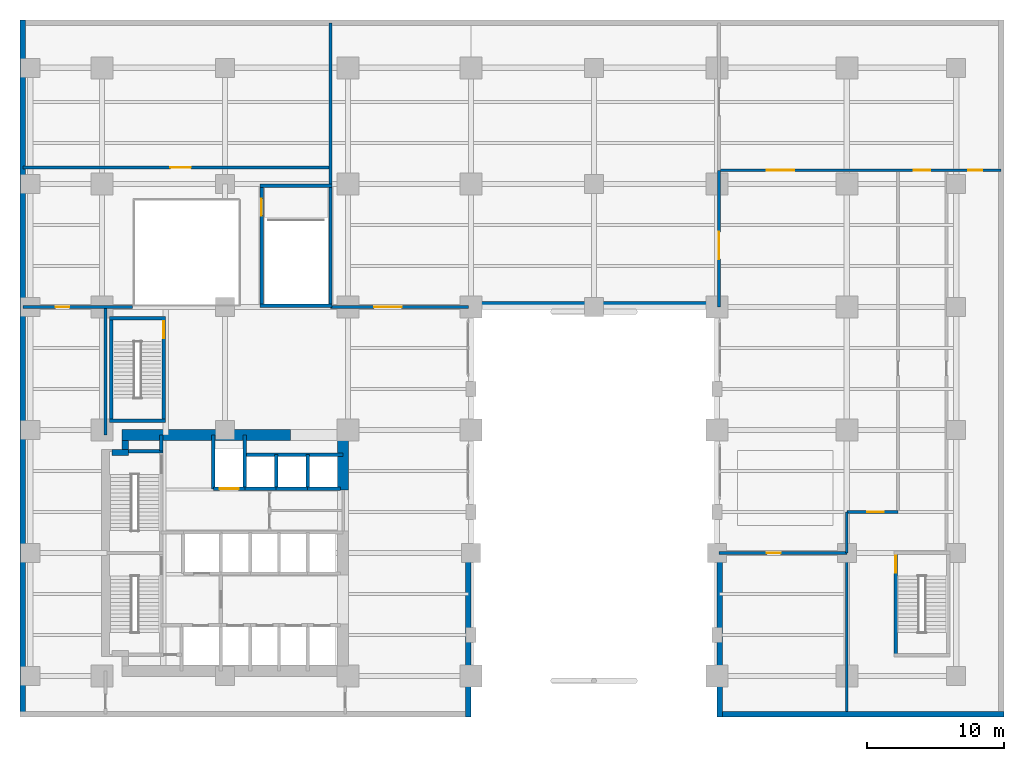
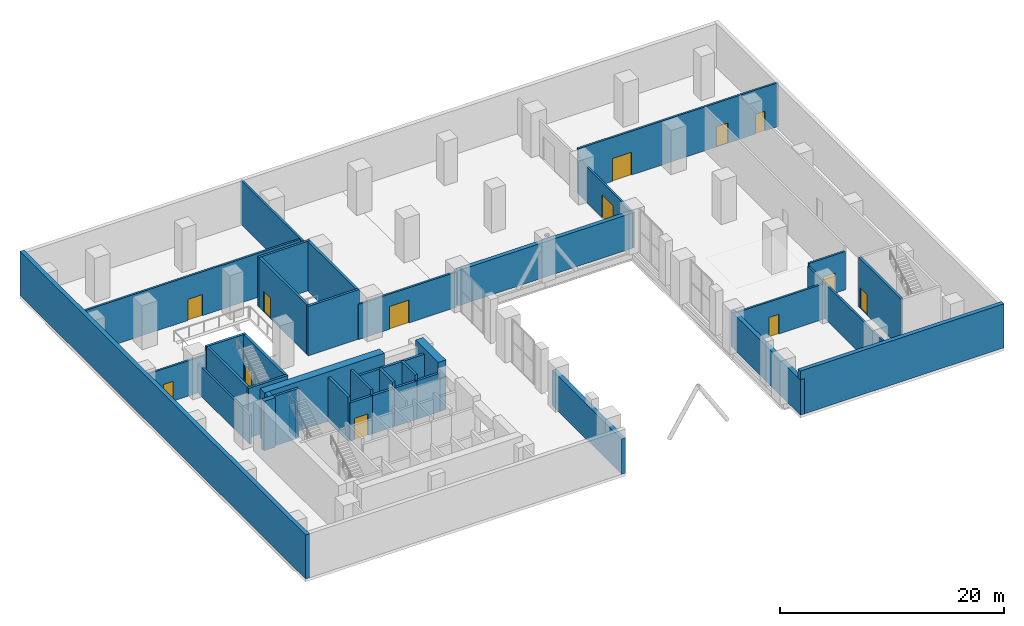
# One storey, part 10 of 13: 40 walls, 13 doors, 13 openings.
"""IFC4 building model written with IfcOpenShell, lengths in metres."""

from ifc_helpers import new_model, si_unit, direction, frame, frame_2d, origin, place, context, subcontext, project, spatial, rectangle, extrude, material, layer, layer_set, type_object, element, fill, save


model = new_model("IFC4")

# Units and contexts
model_context = context("Model", 3, precision=1e-05, world=origin(), true_north=direction((0.0, 1.0)))
body_context = subcontext(model_context, "Body", "Model", "MODEL_VIEW")
ifc_project = project(units=[si_unit("LENGTHUNIT", "METRE"), si_unit("AREAUNIT", "SQUARE_METRE"), si_unit("VOLUMEUNIT", "CUBIC_METRE"), si_unit("PLANEANGLEUNIT", "RADIAN"), si_unit("MASSUNIT", "GRAM", prefix="KILO")], contexts=[model_context])

# Site, building, storey
site_placement = place(None, origin())
site = spatial("IfcSite", under=ifc_project, at=site_placement, CompositionType="ELEMENT")
building_placement = place(site_placement, origin())
building = spatial("IfcBuilding", under=site, at=building_placement, Name="Mawjdan Bourse Tower", CompositionType="ELEMENT")
storey_placement = place(building_placement, frame((0.0, 0.0, 10.800048828125)))
storey = spatial("IfcBuildingStorey", under=building, at=storey_placement, Name="L02", CompositionType="ELEMENT", Elevation=10.800048828125)

# Walls
ifc_material_1 = material(Name="Brick Masonry Buff", Category="masonry")
ifc_layer_1 = layer(ifc_material_1, 0.419921875)
ifc_layer_set_1 = layer_set([ifc_layer_1], Name="Brick Masonry Buff")
wall_type_1 = type_object("IfcWallType", Name="WL-BRK-BUFF-420", PredefinedType="STANDARD", material=ifc_layer_set_1)
wall_1_placement = place(storey_placement, frame((32.7900390625, 12.39990234375, 0.0), z_axis=(0.0, 0.0, 1.0), x_axis=(0.0, -1.0, 0.0)))
element("IfcWall", 1, at=wall_1_placement, inside=storey, type_object=wall_type_1, Name="L02 Podium Brick Wall ARCH-WP", PredefinedType="STANDARD", context=body_context, shape_type="SweptSolid", body=[
    extrude(rectangle(XDim=12.39990234375, YDim=0.419921875, at=frame_2d((6.199951171875, 0.0))), origin(), (0.0, 0.0, 1.0), 3.849853515625),
])
wall_2_placement = place(storey_placement, frame((33.0, 30.2099609375, 0.0), z_axis=(0.0, 0.0, 1.0), x_axis=(1.0, 0.0, 0.0)))
element("IfcWall", 2, at=wall_2_placement, inside=storey, type_object=wall_type_1, Name="L02 Podium Brick Wall ARCH-NB", PredefinedType="STANDARD", context=body_context, shape_type="SweptSolid", body=[
    extrude(rectangle(XDim=18.0, YDim=0.419921875, at=frame_2d((9.0, 0.0))), origin(), (0.0, 0.0, 1.0), 3.849853515625),
])
wall_3_placement = place(storey_placement, frame((51.2099609375, 0.0, 0.0), z_axis=(0.0, 0.0, 1.0), x_axis=(0.0, 1.0, 0.0)))
element("IfcWall", 3, at=wall_3_placement, inside=storey, type_object=wall_type_1, Name="L02 Podium Brick Wall ARCH-EP", PredefinedType="STANDARD", context=body_context, shape_type="SweptSolid", body=[
    extrude(rectangle(XDim=12.39990234375, YDim=0.419921875, at=frame_2d((6.199951171875, 0.0))), origin(), (0.0, 0.0, 1.0), 3.849853515625),
])
wall_4_placement = place(storey_placement, frame((51.0, 0.2099609375, 0.0), z_axis=(0.0, 0.0, 1.0), x_axis=(1.0, 0.0, 0.0)))
element("IfcWall", 4, at=wall_4_placement, inside=storey, type_object=wall_type_1, Name="L02 Podium Brick Wall SE-ALL", PredefinedType="STANDARD", context=body_context, shape_type="SweptSolid", body=[
    extrude(rectangle(XDim=21.0, YDim=0.419921875, at=frame_2d((10.5, 0.0))), origin(), (0.0, 0.0, 1.0), 4.800048828125),
])
wall_5_placement = place(storey_placement, frame((0.2099609375, 51.0, 0.0), z_axis=(0.0, 0.0, 1.0), x_axis=(0.0, -1.0, 0.0)))
element("IfcWall", 5, at=wall_5_placement, inside=storey, type_object=wall_type_1, Name="L02 Podium Brick Wall WEST", PredefinedType="STANDARD", context=body_context, shape_type="SweptSolid", body=[
    extrude(rectangle(XDim=51.0, YDim=0.419921875, at=frame_2d((25.5, 0.0))), origin(), (0.0, 0.0, 1.0), 4.800048828125),
])

# Wall, opening, door
ifc_material_2 = material(Name="Gypsum Fireboard Assembly")
ifc_layer_2 = layer(ifc_material_2, 0.199951171875)
ifc_layer_set_2 = layer_set([ifc_layer_2], Name="Gypsum Fireboard Assembly")
wall_type_2 = type_object("IfcWallType", Name="WL-CMP-200", PredefinedType="PARTITIONING", material=ifc_layer_set_2)
wall_6_placement = place(storey_placement, frame((22.719970703125, 30.0, 0.0), z_axis=(0.0, 0.0, 1.0), x_axis=(1.0, 0.0, 0.0)))
wall_6 = element("IfcWall", 6, at=wall_6_placement, inside=storey, type_object=wall_type_2, Name="L02 Clearing Hall South Wall", PredefinedType="PARTITIONING", context=body_context, shape_type="SweptSolid", body=[
    extrude(rectangle(XDim=10.080078125, YDim=0.199951171875, at=frame_2d((5.0400390625, 0.0))), origin(), (0.0, 0.0, 1.0), 3.849853515625),
])
opening_1_placement = place(wall_6_placement, frame((3.199951171875, 0.0, 0.0)))
opening_1 = element("IfcOpeningElement", 7, at=opening_1_placement, cuts=wall_6, Name="Opening D-L02-19", PredefinedType="OPENING", context=body_context, shape_type="SweptSolid", body=[
    extrude(rectangle(XDim=2.0, YDim=2.5, at=frame_2d((1.0, 1.25))), frame((0.0, 0.10986328125, 0.0), z_axis=(0.0, -1.0, 0.0), x_axis=(1.0, 0.0, 0.0)), (0.0, 0.0, 1.0), 0.219970703125),
])
ifc_material_3 = material(Name="Acoustic Veneered Timber", Category="wood")
door_type_1 = type_object("IfcDoorType", Name="DR-ASM-2000", OperationType="DOUBLE_DOOR_SINGLE_SWING", PredefinedType="DOOR", material=ifc_material_3)
door_1_placement = place(opening_1_placement, origin())
door_1 = element("IfcDoor", 8, at=door_1_placement, inside=storey, type_object=door_type_1, Name="L02 Clearing Hall South Entrance D-L02-19", OperationType="DOUBLE_DOOR_SINGLE_SWING", OverallHeight=2.5, OverallWidth=2.0, PredefinedType="DOOR", context=body_context, shape_type="SweptSolid", body=[
    extrude(rectangle(XDim=2.0, YDim=2.5, at=frame_2d((1.0, 1.25))), frame((0.0, 0.02490234375, 0.0), z_axis=(0.0, -1.0, 0.0), x_axis=(1.0, 0.0, 0.0)), (0.0, 0.0, 1.0), 0.050048828125),
])
fill(opening_1, door_1)

wall_7_placement = place(storey_placement, frame((0.2099609375, 40.199951171875, 0.0), z_axis=(0.0, 0.0, 1.0), x_axis=(1.0, 0.0, 0.0)))
wall_7 = element("IfcWall", 9, at=wall_7_placement, inside=storey, type_object=wall_type_2, Name="L02 Issuer Relations South Wall", PredefinedType="PARTITIONING", context=body_context, shape_type="SweptSolid", body=[
    extrude(rectangle(XDim=22.510009765625, YDim=0.199951171875, at=frame_2d((11.2548828125, 0.0))), origin(), (0.0, 0.0, 1.0), 4.7900390625),
])
opening_2_placement = place(wall_7_placement, frame((10.800048828125, 0.0, 0.0)))
opening_2 = element("IfcOpeningElement", 10, at=opening_2_placement, cuts=wall_7, Name="Opening D-L02-20", PredefinedType="OPENING", context=body_context, shape_type="SweptSolid", body=[
    extrude(rectangle(XDim=1.5, YDim=2.300048828125, at=frame_2d((0.75, 1.14990234375))), frame((0.0, 0.10986328125, 0.0), z_axis=(0.0, -1.0, 0.0), x_axis=(1.0, 0.0, 0.0)), (0.0, 0.0, 1.0), 0.219970703125),
])
ifc_material_4 = material(Name="Acoustic Glazed Timber", Category="wood")
door_type_2 = type_object("IfcDoorType", Name="DR-CNF-1500", OperationType="DOUBLE_DOOR_SINGLE_SWING", PredefinedType="DOOR", material=ifc_material_4)
door_2_placement = place(opening_2_placement, origin())
door_2 = element("IfcDoor", 11, at=door_2_placement, inside=storey, type_object=door_type_2, Name="L02 Issuer Relations Door D-L02-20", OperationType="DOUBLE_DOOR_SINGLE_SWING", OverallHeight=2.300048828125, OverallWidth=1.5, PredefinedType="DOOR", context=body_context, shape_type="SweptSolid", body=[
    extrude(rectangle(XDim=1.5, YDim=2.300048828125, at=frame_2d((0.75, 1.14990234375))), frame((0.0, 0.02490234375, 0.0), z_axis=(0.0, -1.0, 0.0), x_axis=(1.0, 0.0, 0.0)), (0.0, 0.0, 1.0), 0.050048828125),
])
fill(opening_2, door_2)

# Walls
wall_8_placement = place(storey_placement, frame((22.719970703125, 38.8701171875, 0.0), z_axis=(0.0, 0.0, 1.0), x_axis=(0.0, 1.0, 0.0)))
element("IfcWall", 12, at=wall_8_placement, inside=storey, type_object=wall_type_2, Name="L02 Issuer Relations East Wall", PredefinedType="PARTITIONING", context=body_context, shape_type="SweptSolid", body=[
    extrude(rectangle(XDim=11.919921875, YDim=0.199951171875, at=frame_2d((5.9599609375, 0.0))), origin(), (0.0, 0.0, 1.0), 4.7900390625),
])
wall_9_placement = place(storey_placement, frame((6.25, 20.64990234375, 0.0), z_axis=(0.0, 0.0, 1.0), x_axis=(0.0, 1.0, 0.0)))
element("IfcWall", 13, at=wall_9_placement, inside=storey, type_object=wall_type_2, Name="L02 Regulatory Supervision North-East Wall", PredefinedType="PARTITIONING", context=body_context, shape_type="SweptSolid", body=[
    extrude(rectangle(XDim=9.35009765625, YDim=0.199951171875, at=frame_2d((4.675048828125, 0.0))), origin(), (0.0, 0.0, 1.0), 3.18994140625),
])

# Wall, opening, door
wall_10_placement = place(storey_placement, frame((0.2099609375, 30.0, 0.0), z_axis=(0.0, 0.0, 1.0), x_axis=(1.0, 0.0, 0.0)))
wall_10 = element("IfcWall", 14, at=wall_10_placement, inside=storey, type_object=wall_type_2, Name="L02 Overlook Gallery South Wall", PredefinedType="PARTITIONING", context=body_context, shape_type="SweptSolid", body=[
    extrude(rectangle(XDim=8.0400390625, YDim=0.199951171875, at=frame_2d((4.02001953125, 0.0))), origin(), (0.0, 0.0, 1.0), 3.849853515625),
])
opening_3_placement = place(wall_10_placement, frame((2.39990234375, 0.0, 0.0)))
opening_3 = element("IfcOpeningElement", 15, at=opening_3_placement, cuts=wall_10, Name="Opening D-L02-22", PredefinedType="OPENING", context=body_context, shape_type="SweptSolid", body=[
    extrude(rectangle(XDim=1.0, YDim=2.14990234375, at=frame_2d((0.5, 1.074951171875))), frame((0.0, 0.10986328125, 0.0), z_axis=(0.0, -1.0, 0.0), x_axis=(1.0, 0.0, 0.0)), (0.0, 0.0, 1.0), 0.219970703125),
])
ifc_material_5 = material(Name="Hardwood Acoustic Leaf", Category="wood")
door_type_3 = type_object("IfcDoorType", Name="DR-OFC-1000", OperationType="NOTDEFINED", PredefinedType="DOOR", material=ifc_material_5)
door_3_placement = place(opening_3_placement, origin())
door_3 = element("IfcDoor", 16, at=door_3_placement, inside=storey, type_object=door_type_3, Name="L02 Regulatory Supervision Overlook Gallery Door D-L02-22", OperationType="SINGLE_SWING_LEFT", OverallHeight=2.14990234375, OverallWidth=1.0, PredefinedType="DOOR", context=body_context, shape_type="SweptSolid", body=[
    extrude(rectangle(XDim=1.0, YDim=2.14990234375, at=frame_2d((0.5, 1.074951171875))), frame((0.0, 0.02490234375, 0.0), z_axis=(0.0, -1.0, 0.0), x_axis=(1.0, 0.0, 0.0)), (0.0, 0.0, 1.0), 0.050048828125),
])
fill(opening_3, door_3)

wall_11_placement = place(storey_placement, frame((51.14990234375, 30.0, 0.0), z_axis=(0.0, 0.0, 1.0), x_axis=(0.0, 1.0, 0.0)))
wall_11 = element("IfcWall", 17, at=wall_11_placement, inside=storey, type_object=wall_type_2, Name="L02 Clearing & Seminar Hall Dividing Wall", PredefinedType="PARTITIONING", context=body_context, shape_type="SweptSolid", body=[
    extrude(rectangle(XDim=10.0, YDim=0.199951171875, at=frame_2d((5.0, 0.0))), origin(), (0.0, 0.0, 1.0), 3.849853515625),
])
opening_4_placement = place(wall_11_placement, frame((3.5, 0.0, 0.0)))
opening_4 = element("IfcOpeningElement", 18, at=opening_4_placement, cuts=wall_11, Name="Opening D-L02-24", PredefinedType="OPENING", context=body_context, shape_type="SweptSolid", body=[
    extrude(rectangle(XDim=2.0, YDim=2.5, at=frame_2d((1.0, 1.25))), frame((0.0, 0.10986328125, 0.0), z_axis=(0.0, -1.0, 0.0), x_axis=(1.0, 0.0, 0.0)), (0.0, 0.0, 1.0), 0.219970703125),
])
door_4_placement = place(opening_4_placement, origin())
door_4 = element("IfcDoor", 19, at=door_4_placement, inside=storey, type_object=door_type_1, Name="L02 Clearing to Seminar Hall Double Door D-L02-24", OperationType="DOUBLE_DOOR_SINGLE_SWING", OverallHeight=2.5, OverallWidth=2.0, PredefinedType="DOOR", context=body_context, shape_type="SweptSolid", body=[
    extrude(rectangle(XDim=2.0, YDim=2.5, at=frame_2d((1.0, 1.25))), frame((0.0, 0.02490234375, 0.0), z_axis=(0.0, -1.0, 0.0), x_axis=(1.0, 0.0, 0.0)), (0.0, 0.0, 1.0), 0.050048828125),
])
fill(opening_4, door_4)

# Wall, openings, doors
wall_12_placement = place(storey_placement, frame((51.14990234375, 40.0, 0.0), z_axis=(0.0, 0.0, 1.0), x_axis=(1.0, 0.0, 0.0)))
wall_12 = element("IfcWall", 20, at=wall_12_placement, inside=storey, type_object=wall_type_2, Name="L02 Seminar Hall North Wall", PredefinedType="PARTITIONING", context=body_context, shape_type="SweptSolid", body=[
    extrude(rectangle(XDim=20.64013671875, YDim=0.199951171875, at=frame_2d((10.320068359375, 0.0))), origin(), (0.0, 0.0, 1.0), 4.7900390625),
])
opening_5_placement = place(wall_12_placement, frame((3.5, 0.0, 0.0)))
opening_5 = element("IfcOpeningElement", 21, at=opening_5_placement, cuts=wall_12, Name="Opening D-L02-26", PredefinedType="OPENING", context=body_context, shape_type="SweptSolid", body=[
    extrude(rectangle(XDim=2.0, YDim=2.5, at=frame_2d((1.0, 1.25))), frame((0.0, 0.10986328125, 0.0), z_axis=(0.0, -1.0, 0.0), x_axis=(1.0, 0.0, 0.0)), (0.0, 0.0, 1.0), 0.219970703125),
])
opening_6_placement = place(wall_12_placement, frame((14.25, 0.0, 0.0)))
opening_6 = element("IfcOpeningElement", 22, at=opening_6_placement, cuts=wall_12, Name="Opening FD-L02-27", PredefinedType="OPENING", context=body_context, shape_type="SweptSolid", body=[
    extrude(rectangle(XDim=1.199951171875, YDim=2.199951171875, at=frame_2d((0.60009765625, 1.10009765625))), frame((0.0, 0.10986328125, 0.0), z_axis=(0.0, -1.0, 0.0), x_axis=(1.0, 0.0, 0.0)), (0.0, 0.0, 1.0), 0.219970703125),
])
opening_7_placement = place(wall_12_placement, frame((18.25, 0.0, 0.0)))
opening_7 = element("IfcOpeningElement", 23, at=opening_7_placement, cuts=wall_12, Name="Opening D-L02-28", PredefinedType="OPENING", context=body_context, shape_type="SweptSolid", body=[
    extrude(rectangle(XDim=1.0, YDim=2.14990234375, at=frame_2d((0.5, 1.074951171875))), frame((0.0, 0.10986328125, 0.0), z_axis=(0.0, -1.0, 0.0), x_axis=(1.0, 0.0, 0.0)), (0.0, 0.0, 1.0), 0.219970703125),
])
door_5_placement = place(opening_5_placement, origin())
door_5 = element("IfcDoor", 24, at=door_5_placement, inside=storey, type_object=door_type_1, Name="L02 Seminar Hall Door D-L02-26", OperationType="DOUBLE_DOOR_SINGLE_SWING", OverallHeight=2.5, OverallWidth=2.0, PredefinedType="DOOR", context=body_context, shape_type="SweptSolid", body=[
    extrude(rectangle(XDim=2.0, YDim=2.5, at=frame_2d((1.0, 1.25))), frame((0.0, 0.02490234375, 0.0), z_axis=(0.0, -1.0, 0.0), x_axis=(1.0, 0.0, 0.0)), (0.0, 0.0, 1.0), 0.050048828125),
])
fill(opening_5, door_5)
door_6_placement = place(opening_7_placement, origin())
door_6 = element("IfcDoor", 25, at=door_6_placement, inside=storey, type_object=door_type_3, Name="L02 Strategy Suite North Door D-L02-28", OperationType="SINGLE_SWING_RIGHT", OverallHeight=2.14990234375, OverallWidth=1.0, PredefinedType="DOOR", context=body_context, shape_type="SweptSolid", body=[
    extrude(rectangle(XDim=1.0, YDim=2.14990234375, at=frame_2d((0.5, 1.074951171875))), frame((0.0, 0.02490234375, 0.0), z_axis=(0.0, -1.0, 0.0), x_axis=(1.0, 0.0, 0.0)), (0.0, 0.0, 1.0), 0.050048828125),
])
fill(opening_7, door_6)
ifc_material_6 = material(Name="Fire-Rated Steel Leaf", Category="steel")
door_type_4 = type_object("IfcDoorType", Name="FD-FFL-1200", OperationType="NOTDEFINED", PredefinedType="DOOR", material=ifc_material_6)
door_7_placement = place(opening_6_placement, frame((1.199951171875, 0.0, 0.0), z_axis=(0.0, 0.0, 1.0), x_axis=(-1.0, 0.0, 0.0)))
door_7 = element("IfcDoor", 26, at=door_7_placement, inside=storey, type_object=door_type_4, Name="L02 East Podium Gallery ST6 Corridor Fire Door FD-L02-27", OperationType="SINGLE_SWING_LEFT", OverallHeight=2.199951171875, OverallWidth=1.199951171875, PredefinedType="DOOR", context=body_context, shape_type="SweptSolid", body=[
    extrude(rectangle(XDim=1.199951171875, YDim=2.199951171875, at=frame_2d((0.60009765625, 1.10009765625))), frame((0.0, 0.02490234375, 0.0), z_axis=(0.0, -1.0, 0.0), x_axis=(1.0, 0.0, 0.0)), (0.0, 0.0, 1.0), 0.050048828125),
])
fill(opening_6, door_7)

# Wall
wall_13_placement = place(storey_placement, frame((60.5, 12.0, 0.0), z_axis=(0.0, 0.0, 1.0), x_axis=(0.0, 1.0, 0.0)))
element("IfcWall", 27, at=wall_13_placement, inside=storey, type_object=wall_type_2, Name="L02 ST6 Vestibule West Return", PredefinedType="PARTITIONING", context=body_context, shape_type="SweptSolid", body=[
    extrude(rectangle(XDim=3.0, YDim=0.199951171875, at=frame_2d((1.5, 0.0))), origin(), (0.0, 0.0, 1.0), 3.849853515625),
])

# Wall, opening, door
wall_14_placement = place(storey_placement, frame((60.5, 15.0, 0.0), z_axis=(0.0, 0.0, 1.0), x_axis=(1.0, 0.0, 0.0)))
wall_14 = element("IfcWall", 28, at=wall_14_placement, inside=storey, type_object=wall_type_2, Name="L02 ST6 Corridor South Vestibule Wall", PredefinedType="PARTITIONING", context=body_context, shape_type="SweptSolid", body=[
    extrude(rectangle(XDim=3.75, YDim=0.199951171875, at=frame_2d((1.875, 0.0))), origin(), (0.0, 0.0, 1.0), 4.1728515625),
])
opening_8_placement = place(wall_14_placement, frame((1.5, 0.0, 0.0)))
opening_8 = element("IfcOpeningElement", 29, at=opening_8_placement, cuts=wall_14, Name="Opening FD-L02-29", PredefinedType="OPENING", context=body_context, shape_type="SweptSolid", body=[
    extrude(rectangle(XDim=1.199951171875, YDim=2.199951171875, at=frame_2d((0.60009765625, 1.10009765625))), frame((0.0, 0.10986328125, 0.0), z_axis=(0.0, -1.0, 0.0), x_axis=(1.0, 0.0, 0.0)), (0.0, 0.0, 1.0), 0.219970703125),
])
door_8_placement = place(opening_8_placement, frame((1.199951171875, 0.0, 0.0), z_axis=(0.0, 0.0, 1.0), x_axis=(-1.0, 0.0, 0.0)))
door_8 = element("IfcDoor", 30, at=door_8_placement, inside=storey, type_object=door_type_4, Name="L02 ST6 Seminar Exit Door FD-L02-29", OperationType="SINGLE_SWING_LEFT", OverallHeight=2.199951171875, OverallWidth=1.199951171875, PredefinedType="DOOR", context=body_context, shape_type="SweptSolid", body=[
    extrude(rectangle(XDim=1.199951171875, YDim=2.199951171875, at=frame_2d((0.60009765625, 1.10009765625))), frame((0.0, 0.02490234375, 0.0), z_axis=(0.0, -1.0, 0.0), x_axis=(1.0, 0.0, 0.0)), (0.0, 0.0, 1.0), 0.050048828125),
])
fill(opening_8, door_8)

wall_15_placement = place(storey_placement, frame((51.14990234375, 12.0, 0.0), z_axis=(0.0, 0.0, 1.0), x_axis=(1.0, 0.0, 0.0)))
wall_15 = element("IfcWall", 31, at=wall_15_placement, inside=storey, type_object=wall_type_2, Name="L02 Translation North Wall", PredefinedType="PARTITIONING", context=body_context, shape_type="SweptSolid", body=[
    extrude(rectangle(XDim=9.35009765625, YDim=0.199951171875, at=frame_2d((4.675048828125, 0.0))), origin(), (0.0, 0.0, 1.0), 3.849853515625),
])
opening_9_placement = place(wall_15_placement, frame((3.5, 0.0, 0.0)))
opening_9 = element("IfcOpeningElement", 32, at=opening_9_placement, cuts=wall_15, Name="Opening D-L02-32", PredefinedType="OPENING", context=body_context, shape_type="SweptSolid", body=[
    extrude(rectangle(XDim=1.0, YDim=2.14990234375, at=frame_2d((0.5, 1.074951171875))), frame((0.0, 0.10986328125, 0.0), z_axis=(0.0, -1.0, 0.0), x_axis=(1.0, 0.0, 0.0)), (0.0, 0.0, 1.0), 0.219970703125),
])
door_9_placement = place(opening_9_placement, origin())
door_9 = element("IfcDoor", 33, at=door_9_placement, inside=storey, type_object=door_type_3, Name="L02 Translation Office Door D-L02-32", OperationType="SINGLE_SWING_RIGHT", OverallHeight=2.14990234375, OverallWidth=1.0, PredefinedType="DOOR", context=body_context, shape_type="SweptSolid", body=[
    extrude(rectangle(XDim=1.0, YDim=2.14990234375, at=frame_2d((0.5, 1.074951171875))), frame((0.0, 0.02490234375, 0.0), z_axis=(0.0, -1.0, 0.0), x_axis=(1.0, 0.0, 0.0)), (0.0, 0.0, 1.0), 0.050048828125),
])
fill(opening_9, door_9)

# Walls
wall_16_placement = place(storey_placement, frame((60.5, 0.419921875, 0.0), z_axis=(0.0, 0.0, 1.0), x_axis=(0.0, 1.0, 0.0)))
element("IfcWall", 34, at=wall_16_placement, inside=storey, type_object=wall_type_2, Name="L02 Translation East Wall", PredefinedType="PARTITIONING", context=body_context, shape_type="SweptSolid", body=[
    extrude(rectangle(XDim=11.580078125, YDim=0.199951171875, at=frame_2d((5.7900390625, 0.0))), origin(), (0.0, 0.0, 1.0), 3.849853515625),
])
ifc_material_7 = material(Name="Concrete C60/75", Category="concrete")
ifc_layer_3 = layer(ifc_material_7, 0.449951171875)
ifc_layer_set_3 = layer_set([ifc_layer_3], Name="Concrete C60/75")
wall_type_3 = type_object("IfcWallType", Name="WL-CORE-450", PredefinedType="SHEAR", material=ifc_layer_set_3)
wall_17_placement = place(storey_placement, frame((6.75, 19.35009765625, 0.0), z_axis=(0.0, 0.0, 1.0), x_axis=(1.0, 0.0, 0.0)))
element("IfcWall", 35, at=wall_17_placement, inside=storey, type_object=wall_type_3, Name="L02 Rear Core Shear Wall NW-X", PredefinedType="SHEAR", context=body_context, shape_type="SweptSolid", body=[
    extrude(rectangle(XDim=1.175048828125, YDim=0.449951171875, at=frame_2d((0.58740234375, 0.0))), origin(), (0.0, 0.0, 1.0), 5.39990234375),
])
wall_18_placement = place(storey_placement, frame((7.699951171875, 19.574951171875, 0.0), z_axis=(0.0, 0.0, 1.0), x_axis=(0.0, 1.0, 0.0)))
element("IfcWall", 36, at=wall_18_placement, inside=storey, type_object=wall_type_3, Name="L02 Rear Core Shear Wall NW-Y", PredefinedType="SHEAR", context=body_context, shape_type="SweptSolid", body=[
    extrude(rectangle(XDim=0.675048828125, YDim=0.449951171875, at=frame_2d((0.33740234375, 0.0))), origin(), (0.0, 0.0, 1.0), 5.39990234375),
])
ifc_material_8 = material(Name="Concrete C80/95", Category="concrete")
ifc_layer_4 = layer(ifc_material_8, 0.800048828125)
ifc_layer_set_4 = layer_set([ifc_layer_4], Name="Concrete C80/95")
wall_type_4 = type_object("IfcWallType", Name="WL-CORE-800", PredefinedType="SHEAR", material=ifc_layer_set_4)
wall_19_placement = place(storey_placement, frame((7.47509765625, 20.64990234375, 0.0), z_axis=(0.0, 0.0, 1.0), x_axis=(1.0, 0.0, 0.0)))
element("IfcWall", 37, at=wall_19_placement, inside=storey, type_object=wall_type_4, Name="L02 Rear Core Shear Wall N", PredefinedType="SHEAR", context=body_context, shape_type="SweptSolid", body=[
    extrude(rectangle(XDim=12.324951171875, YDim=0.800048828125, at=frame_2d((6.16259765625, 0.0))), origin(), (0.0, 0.0, 1.0), 5.39990234375),
])
wall_20_placement = place(storey_placement, frame((23.64990234375, 16.60009765625, 0.0), z_axis=(0.0, 0.0, 1.0), x_axis=(0.0, 1.0, 0.0)))
element("IfcWall", 38, at=wall_20_placement, inside=storey, type_object=wall_type_4, Name="L02 Rear Core Shear Wall E3", PredefinedType="SHEAR", context=body_context, shape_type="SweptSolid", body=[
    extrude(rectangle(XDim=4.0498046875, YDim=0.800048828125, at=frame_2d((2.02490234375, 0.0))), origin(), (0.0, 0.0, 1.0), 5.39990234375),
])
ifc_material_9 = material(Name="Concrete C50/60", Category="concrete")
ifc_layer_5 = layer(ifc_material_9, 0.25)
ifc_layer_set_5 = layer_set([ifc_layer_5], Name="Concrete C50/60")
wall_type_5 = type_object("IfcWallType", Name="WL-SHFT-250", PredefinedType="PARTITIONING", material=ifc_layer_set_5)
wall_21_placement = place(storey_placement, frame((10.330078125, 19.449951171875, 0.0), z_axis=(0.0, 0.0, 1.0), x_axis=(0.0, 1.0, 0.0)))
element("IfcWall", 39, at=wall_21_placement, inside=storey, type_object=wall_type_5, Name="L02 NW Riser East Wall", PredefinedType="PARTITIONING", context=body_context, shape_type="SweptSolid", body=[
    extrude(rectangle(XDim=1.199951171875, YDim=0.25, at=frame_2d((0.60009765625, 0.0))), origin(), (0.0, 0.0, 1.0), 3.849853515625),
])

# Wall, opening, door
wall_22_placement = place(storey_placement, frame((14.14990234375, 16.699951171875, 0.0), z_axis=(0.0, 0.0, 1.0), x_axis=(1.0, 0.0, 0.0)))
wall_22 = element("IfcWall", 40, at=wall_22_placement, inside=storey, type_object=wall_type_5, Name="L02 SVL-01 Front Shaft Wall", PredefinedType="PARTITIONING", context=body_context, shape_type="SweptSolid", body=[
    extrude(rectangle(XDim=2.300048828125, YDim=0.25, at=frame_2d((1.14990234375, 0.0))), origin(), (0.0, 0.0, 1.0), 4.1728515625),
])
opening_10_placement = place(wall_22_placement, frame((0.449951171875, 0.0, 0.0)))
opening_10 = element("IfcOpeningElement", 41, at=opening_10_placement, cuts=wall_22, Name="Opening LD-L02-09", PredefinedType="OPENING", context=body_context, shape_type="SweptSolid", body=[
    extrude(rectangle(XDim=1.39990234375, YDim=2.35009765625, at=frame_2d((0.699951171875, 1.175048828125))), frame((0.0, 0.135009765625, 0.0), z_axis=(0.0, -1.0, 0.0), x_axis=(1.0, 0.0, 0.0)), (0.0, 0.0, 1.0), 0.27001953125),
])
ifc_material_10 = material(Name="Heavy-Duty Stainless Steel", Category="steel")
door_type_5 = type_object("IfcDoorType", Name="LD-SRV-1400", OperationType="DOUBLE_DOOR_SLIDING", PredefinedType="DOOR", material=ifc_material_10)
door_10_placement = place(opening_10_placement, origin())
door_10 = element("IfcDoor", 42, at=door_10_placement, inside=storey, type_object=door_type_5, Name="L02 Service Lift SVL-01 Landing Door LD-L02-09", OperationType="DOUBLE_DOOR_SLIDING", OverallHeight=2.35009765625, OverallWidth=1.39990234375, PredefinedType="DOOR", context=body_context, shape_type="SweptSolid", body=[
    extrude(rectangle(XDim=1.39990234375, YDim=2.35009765625, at=frame_2d((0.699951171875, 1.175048828125))), frame((0.0, 0.02490234375, 0.0), z_axis=(0.0, -1.0, 0.0), x_axis=(1.0, 0.0, 0.0)), (0.0, 0.0, 1.0), 0.050048828125),
])
fill(opening_10, door_10)

# Walls
for number, where, z_axis, x_axis, name in (
    (43, (14.14990234375, 16.699951171875, 0.0), (0.0, 0.0, 1.0), (0.0, 1.0, 0.0), "L02 SVL-01 West Shaft Wall"),
    (44, (16.449951171875, 16.699951171875, 0.0), (0.0, 0.0, 1.0), (0.0, 1.0, 0.0), "L02 SVL-01 East Shaft Wall"),
):
    element("IfcWall", number, at=place(storey_placement, frame(where, z_axis=z_axis, x_axis=x_axis)), inside=storey, type_object=wall_type_5, Name=name, PredefinedType="PARTITIONING", context=body_context, shape_type="SweptSolid", body=[
        extrude(rectangle(XDim=3.949951171875, YDim=0.25, at=frame_2d((1.97509765625, 0.0))), origin(), (0.0, 0.0, 1.0), 4.7900390625),
    ])
wall_23_placement = place(storey_placement, frame((16.449951171875, 16.699951171875, 0.0), z_axis=(0.0, 0.0, 1.0), x_axis=(1.0, 0.0, 0.0)))
element("IfcWall", 45, at=wall_23_placement, inside=storey, type_object=wall_type_5, Name="L02 PH-01 Front Wall", PredefinedType="PARTITIONING", context=body_context, shape_type="SweptSolid", body=[
    extrude(rectangle(XDim=2.300048828125, YDim=0.25, at=frame_2d((1.14990234375, 0.0))), origin(), (0.0, 0.0, 1.0), 4.1728515625),
])
wall_24_placement = place(storey_placement, frame((18.75, 16.699951171875, 0.0), z_axis=(0.0, 0.0, 1.0), x_axis=(0.0, 1.0, 0.0)))
element("IfcWall", 46, at=wall_24_placement, inside=storey, type_object=wall_type_5, Name="L02 PH-01 Divider Wall", PredefinedType="PARTITIONING", context=body_context, shape_type="SweptSolid", body=[
    extrude(rectangle(XDim=2.5, YDim=0.25, at=frame_2d((1.25, 0.0))), origin(), (0.0, 0.0, 1.0), 4.7900390625),
])
wall_25_placement = place(storey_placement, frame((18.75, 16.699951171875, 0.0), z_axis=(0.0, 0.0, 1.0), x_axis=(1.0, 0.0, 0.0)))
element("IfcWall", 47, at=wall_25_placement, inside=storey, type_object=wall_type_5, Name="L02 PH-02 Front Wall", PredefinedType="PARTITIONING", context=body_context, shape_type="SweptSolid", body=[
    extrude(rectangle(XDim=2.300048828125, YDim=0.25, at=frame_2d((1.14990234375, 0.0))), origin(), (0.0, 0.0, 1.0), 4.1728515625),
])
wall_26_placement = place(storey_placement, frame((21.050048828125, 16.699951171875, 0.0), z_axis=(0.0, 0.0, 1.0), x_axis=(0.0, 1.0, 0.0)))
element("IfcWall", 48, at=wall_26_placement, inside=storey, type_object=wall_type_5, Name="L02 PH-02 Divider Wall", PredefinedType="PARTITIONING", context=body_context, shape_type="SweptSolid", body=[
    extrude(rectangle(XDim=2.5, YDim=0.25, at=frame_2d((1.25, 0.0))), origin(), (0.0, 0.0, 1.0), 4.7900390625),
])
wall_27_placement = place(storey_placement, frame((21.050048828125, 16.699951171875, 0.0), z_axis=(0.0, 0.0, 1.0), x_axis=(1.0, 0.0, 0.0)))
element("IfcWall", 49, at=wall_27_placement, inside=storey, type_object=wall_type_5, Name="L02 PH-03 Front Wall", PredefinedType="PARTITIONING", context=body_context, shape_type="SweptSolid", body=[
    extrude(rectangle(XDim=2.39990234375, YDim=0.25, at=frame_2d((1.199951171875, 0.0))), origin(), (0.0, 0.0, 1.0), 4.1728515625),
])
wall_28_placement = place(storey_placement, frame((16.449951171875, 19.199951171875, 0.0), z_axis=(0.0, 0.0, 1.0), x_axis=(1.0, 0.0, 0.0)))
element("IfcWall", 50, at=wall_28_placement, inside=storey, type_object=wall_type_5, Name="L02 PH Bank North Shaft Back Wall", PredefinedType="PARTITIONING", context=body_context, shape_type="SweptSolid", body=[
    extrude(rectangle(XDim=7.199951171875, YDim=0.25, at=frame_2d((3.60009765625, 0.0))), origin(), (0.0, 0.0, 1.0), 4.7900390625),
])
ifc_layer_6 = layer(ifc_material_9, 0.25)
ifc_layer_set_6 = layer_set([ifc_layer_6], Name="Concrete C50/60")
wall_type_6 = type_object("IfcWallType", Name="WL-STRW-250", PredefinedType="SHEAR", material=ifc_layer_set_6)
wall_29_placement = place(storey_placement, frame((7.699951171875, 19.449951171875, 0.0), z_axis=(0.0, 0.0, 1.0), x_axis=(1.0, 0.0, 0.0)))
element("IfcWall", 51, at=wall_29_placement, inside=storey, type_object=wall_type_6, Name="L02 Stairwell ST2 North Shaft Wall", PredefinedType="SHEAR", context=body_context, shape_type="SweptSolid", body=[
    extrude(rectangle(XDim=2.755126953125, YDim=0.25, at=frame_2d((1.37744140625, 0.0))), origin(), (0.0, 0.0, 1.0), 5.39990234375),
])
for number, where, z_axis, x_axis, name in (
    (52, (6.554931640625, 21.679931640625, 0.0), (0.0, 0.0, 1.0), (1.0, 0.0, 0.0), "L02 ST3 South Shaft Wall"),
    (53, (6.554931640625, 29.179931640625, 0.0), (0.0, 0.0, 1.0), (1.0, 0.0, 0.0), "L02 ST3 North Shaft Wall"),
):
    element("IfcWall", number, at=place(storey_placement, frame(where, z_axis=z_axis, x_axis=x_axis)), inside=storey, type_object=wall_type_6, Name=name, PredefinedType="SHEAR", context=body_context, shape_type="SweptSolid", body=[
        extrude(rectangle(XDim=4.090087890625, YDim=0.25, at=frame_2d((2.044921875, 0.0))), origin(), (0.0, 0.0, 1.0), 5.39990234375),
    ])
wall_30_placement = place(storey_placement, frame((6.679931640625, 21.679931640625, 0.0), z_axis=(0.0, 0.0, 1.0), x_axis=(0.0, 1.0, 0.0)))
element("IfcWall", 54, at=wall_30_placement, inside=storey, type_object=wall_type_6, Name="L02 ST3 West Shaft Wall", PredefinedType="SHEAR", context=body_context, shape_type="SweptSolid", body=[
    extrude(rectangle(XDim=7.5, YDim=0.25, at=frame_2d((3.75, 0.0))), origin(), (0.0, 0.0, 1.0), 5.39990234375),
])

# Wall, opening, door
wall_31_placement = place(storey_placement, frame((10.52001953125, 21.679931640625, 0.0), z_axis=(0.0, 0.0, 1.0), x_axis=(0.0, 1.0, 0.0)))
wall_31 = element("IfcWall", 55, at=wall_31_placement, inside=storey, type_object=wall_type_6, Name="L02 ST3 East Shaft Wall", PredefinedType="SHEAR", context=body_context, shape_type="SweptSolid", body=[
    extrude(rectangle(XDim=7.5, YDim=0.25, at=frame_2d((3.75, 0.0))), origin(), (0.0, 0.0, 1.0), 5.39990234375),
])
opening_11_placement = place(wall_31_placement, frame((6.02001953125, 0.0, 0.0)))
opening_11 = element("IfcOpeningElement", 56, at=opening_11_placement, cuts=wall_31, Name="Opening SD-L02-16", PredefinedType="OPENING", context=body_context, shape_type="SweptSolid", body=[
    extrude(rectangle(XDim=1.25, YDim=2.199951171875, at=frame_2d((0.625, 1.10009765625))), frame((0.0, 0.135009765625, 0.0), z_axis=(0.0, -1.0, 0.0), x_axis=(1.0, 0.0, 0.0)), (0.0, 0.0, 1.0), 0.27001953125),
])
door_type_6 = type_object("IfcDoorType", Name="FD-ST-1250", OperationType="NOTDEFINED", PredefinedType="DOOR", material=ifc_material_6)
door_11_placement = place(opening_11_placement, origin())
door_11 = element("IfcDoor", 57, at=door_11_placement, inside=storey, type_object=door_type_6, Name="L02 Stair ST3 Fire Door SD-L02-16", OperationType="SINGLE_SWING_LEFT", OverallHeight=2.199951171875, OverallWidth=1.25, PredefinedType="DOOR", context=body_context, shape_type="SweptSolid", body=[
    extrude(rectangle(XDim=1.25, YDim=2.199951171875, at=frame_2d((0.625, 1.10009765625))), frame((0.0, 0.02490234375, 0.0), z_axis=(0.0, -1.0, 0.0), x_axis=(1.0, 0.0, 0.0)), (0.0, 0.0, 1.0), 0.050048828125),
])
fill(opening_11, door_11)

wall_32_placement = place(storey_placement, frame((64.080078125, 4.530029296875, 0.0), z_axis=(0.0, 0.0, 1.0), x_axis=(0.0, 1.0, 0.0)))
wall_32 = element("IfcWall", 58, at=wall_32_placement, inside=storey, type_object=wall_type_6, Name="L02 ST6 West Shaft Wall", PredefinedType="SHEAR", context=body_context, shape_type="SweptSolid", body=[
    extrude(rectangle(XDim=7.5, YDim=0.25, at=frame_2d((3.75, 0.0))), origin(), (0.0, 0.0, 1.0), 5.39990234375),
])
opening_12_placement = place(wall_32_placement, frame((6.02001953125, 0.0, 0.0)))
opening_12 = element("IfcOpeningElement", 59, at=opening_12_placement, cuts=wall_32, Name="Opening SD-L02-17", PredefinedType="OPENING", context=body_context, shape_type="SweptSolid", body=[
    extrude(rectangle(XDim=1.25, YDim=2.199951171875, at=frame_2d((0.625, 1.10009765625))), frame((0.0, 0.135009765625, 0.0), z_axis=(0.0, -1.0, 0.0), x_axis=(1.0, 0.0, 0.0)), (0.0, 0.0, 1.0), 0.27001953125),
])
door_12_placement = place(opening_12_placement, frame((1.25, 0.0, 0.0), z_axis=(0.0, 0.0, 1.0), x_axis=(-1.0, 0.0, 0.0)))
door_12 = element("IfcDoor", 60, at=door_12_placement, inside=storey, type_object=door_type_6, Name="L02 Stair ST6 Fire Door SD-L02-17", OperationType="SINGLE_SWING_RIGHT", OverallHeight=2.199951171875, OverallWidth=1.25, PredefinedType="DOOR", context=body_context, shape_type="SweptSolid", body=[
    extrude(rectangle(XDim=1.25, YDim=2.199951171875, at=frame_2d((0.625, 1.10009765625))), frame((0.0, 0.02490234375, 0.0), z_axis=(0.0, -1.0, 0.0), x_axis=(1.0, 0.0, 0.0)), (0.0, 0.0, 1.0), 0.050048828125),
])
fill(opening_12, door_12)

# Walls
for number, where, z_axis, x_axis, name in (
    (61, (17.554931640625, 30.080078125, 0.0), (0.0, 0.0, 1.0), (1.0, 0.0, 0.0), "L02 ST4 South Shaft Wall"),
    (62, (17.554931640625, 38.8701171875, 0.0), (0.0, 0.0, 1.0), (1.0, 0.0, 0.0), "L02 ST4 North Shaft Wall"),
):
    element("IfcWall", number, at=place(storey_placement, frame(where, z_axis=z_axis, x_axis=x_axis)), inside=storey, type_object=wall_type_6, Name=name, PredefinedType="SHEAR", context=body_context, shape_type="SweptSolid", body=[
        extrude(rectangle(XDim=5.2900390625, YDim=0.25, at=frame_2d((2.64501953125, 0.0))), origin(), (0.0, 0.0, 1.0), 5.39990234375),
    ])
wall_33_placement = place(storey_placement, frame((22.719970703125, 30.080078125, 0.0), z_axis=(0.0, 0.0, 1.0), x_axis=(0.0, 1.0, 0.0)))
element("IfcWall", 63, at=wall_33_placement, inside=storey, type_object=wall_type_6, Name="L02 ST4 East Shaft Wall", PredefinedType="SHEAR", context=body_context, shape_type="SweptSolid", body=[
    extrude(rectangle(XDim=8.7900390625, YDim=0.25, at=frame_2d((4.39501953125, 0.0))), origin(), (0.0, 0.0, 1.0), 5.39990234375),
])

# Wall, opening, door
wall_34_placement = place(storey_placement, frame((17.679931640625, 30.080078125, 0.0), z_axis=(0.0, 0.0, 1.0), x_axis=(0.0, 1.0, 0.0)))
wall_34 = element("IfcWall", 64, at=wall_34_placement, inside=storey, type_object=wall_type_6, Name="L02 ST4 West Shaft Wall", PredefinedType="SHEAR", context=body_context, shape_type="SweptSolid", body=[
    extrude(rectangle(XDim=8.7900390625, YDim=0.25, at=frame_2d((4.39501953125, 0.0))), origin(), (0.0, 0.0, 1.0), 5.39990234375),
])
opening_13_placement = place(wall_34_placement, frame((6.60009765625, 0.0, 0.0)))
opening_13 = element("IfcOpeningElement", 65, at=opening_13_placement, cuts=wall_34, Name="Opening SD-L02-18", PredefinedType="OPENING", context=body_context, shape_type="SweptSolid", body=[
    extrude(rectangle(XDim=1.25, YDim=2.199951171875, at=frame_2d((0.625, 1.10009765625))), frame((0.0, 0.135009765625, 0.0), z_axis=(0.0, -1.0, 0.0), x_axis=(1.0, 0.0, 0.0)), (0.0, 0.0, 1.0), 0.27001953125),
])
door_13_placement = place(opening_13_placement, frame((1.25, 0.0, 0.0), z_axis=(0.0, 0.0, 1.0), x_axis=(-1.0, 0.0, 0.0)))
door_13 = element("IfcDoor", 66, at=door_13_placement, inside=storey, type_object=door_type_6, Name="L02 Stair ST4 Fire Door SD-L02-18", OperationType="SINGLE_SWING_LEFT", OverallHeight=2.199951171875, OverallWidth=1.25, PredefinedType="DOOR", context=body_context, shape_type="SweptSolid", body=[
    extrude(rectangle(XDim=1.25, YDim=2.199951171875, at=frame_2d((0.625, 1.10009765625))), frame((0.0, 0.02490234375, 0.0), z_axis=(0.0, -1.0, 0.0), x_axis=(1.0, 0.0, 0.0)), (0.0, 0.0, 1.0), 0.050048828125),
])
fill(opening_13, door_13)

save(model, "model.ifc")
